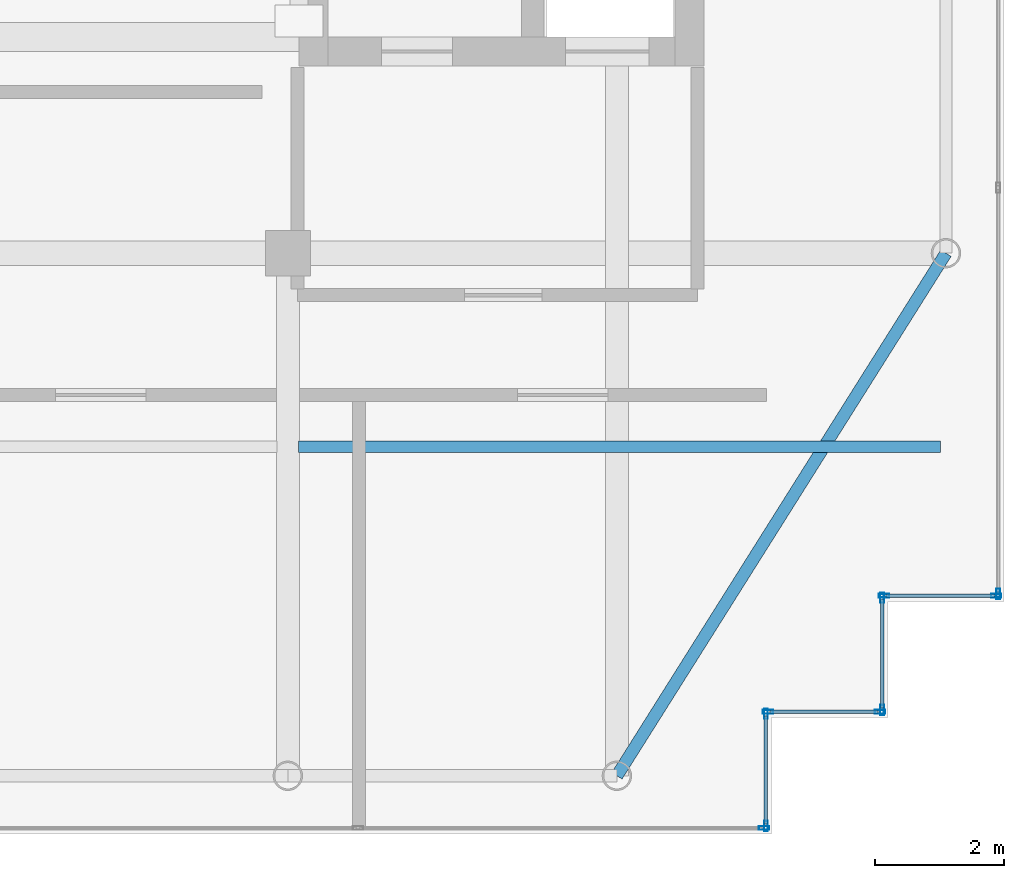
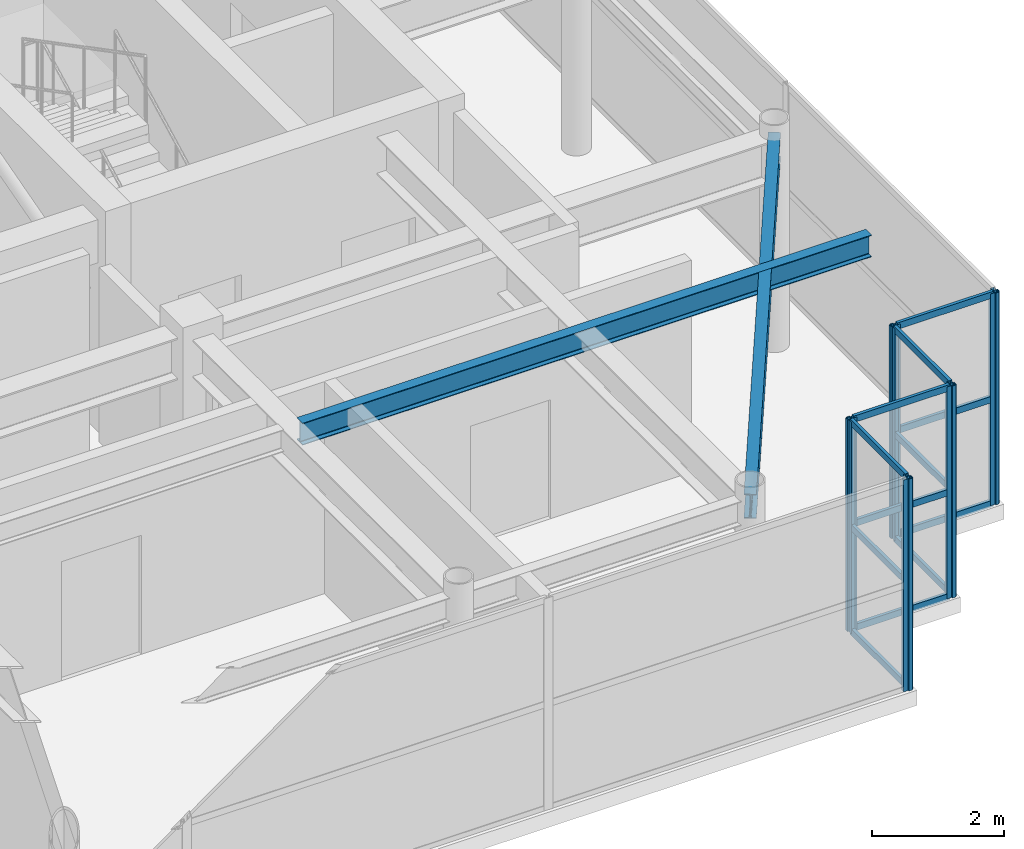
# One storey, part 15 of 32: 22 members, 2 beams, 6 elements without a shape of their own.
"""IFC4 building model written with IfcOpenShell, lengths in metres."""

from ifc_helpers import new_model, si_unit, direction, frame, origin, origin_2d, place, context, subcontext, project, spatial, hollow_rectangle, i_section, extrude, source, transform, mapped, material, layer, layer_set, material_profile, profile_set, type_object, element, aggregate, save


model = new_model("IFC4")

# Units and contexts
model_context = context("Model", 3, precision=1e-05, world=origin(), true_north=direction((0.0, 1.0)))
body_context = subcontext(model_context, "Body", "Model", "MODEL_VIEW")
ifc_project = project(units=[si_unit("LENGTHUNIT", "METRE"), si_unit("AREAUNIT", "SQUARE_METRE"), si_unit("VOLUMEUNIT", "CUBIC_METRE"), si_unit("PLANEANGLEUNIT", "RADIAN"), si_unit("MASSUNIT", "GRAM", prefix="KILO")], contexts=[model_context])

# Site, building, storey
site_placement = place(None, origin())
site = spatial("IfcSite", under=ifc_project, at=site_placement, CompositionType="ELEMENT")
building_placement = place(site_placement, origin())
building = spatial("IfcBuilding", under=site, at=building_placement, Name="Khoralis Quay Care Tower", CompositionType="ELEMENT")
storey_placement = place(building_placement, frame((0.0, 0.0, 310.5)))
storey = spatial("IfcBuildingStorey", under=building, at=storey_placement, Name="L81", CompositionType="ELEMENT", Elevation=310.5)

# Beams
ifc_material_1 = material(Name="Steel S355", Category="steel")
ifc_material_profile_1 = material_profile(ifc_material_1, i_section(OverallWidth=0.18994140625, OverallDepth=0.449951171875, WebThickness=0.009521484375, FlangeThickness=0.0146484375, FilletRadius=0.02099609375, at=origin_2d()), Name="Steel S355")
ifc_profile_set_1 = profile_set([ifc_material_profile_1], Name="Steel S355")
beam_type_1 = type_object("IfcBeamType", Name="BM-IPE450", PredefinedType="SPANDREL", material=ifc_profile_set_1)
shared_shape_1 = source(origin(), body_context, "Body", "SweptSolid", [
    extrude(i_section(OverallWidth=0.18994140625, OverallDepth=0.449951171875, WebThickness=0.009521484375, FlangeThickness=0.0146484375, FilletRadius=0.02099609375, at=origin_2d()), origin(), (0.0, 0.0, 1.0), 9.572021484375),
])
beam_1_placement = place(storey_placement, frame((36.0, 3.89990234375, 3.695068359375), z_axis=(0.532815975602, 0.846231136359, 0.0), x_axis=(-0.846231136359, 0.532815975602, 0.0)))
element("IfcBeam", 1, at=beam_1_placement, inside=storey, type_object=beam_type_1, Name="BM-TCR-L81-18", PredefinedType="SPANDREL", context=body_context, shape_type="MappedRepresentation", body=[
    mapped(shared_shape_1, transform((0.0, 0.0, 0.0), scale=1.0)),
])
ifc_material_profile_2 = material_profile(ifc_material_1, i_section(OverallWidth=0.177978515625, OverallDepth=0.406982421875, WebThickness=0.0078125, FlangeThickness=0.0126953125, FilletRadius=0.012939453125, at=origin_2d()), Name="Steel S355")
ifc_profile_set_2 = profile_set([ifc_material_profile_2], Name="Steel S355")
beam_type_2 = type_object("IfcBeamType", Name="BM-W410X60", PredefinedType="JOIST", material=ifc_profile_set_2)
shared_shape_2 = source(origin(), body_context, "Body", "SweptSolid", [
    extrude(i_section(OverallWidth=0.177978515625, OverallDepth=0.406982421875, WebThickness=0.0078125, FlangeThickness=0.0126953125, FilletRadius=0.012939453125, at=origin_2d()), origin(), (0.0, 0.0, 1.0), 9.95361328125),
])
beam_2_placement = place(storey_placement, frame((31.0654296875, 9.0, 3.716552734375), z_axis=(1.0, 0.0, 0.0), x_axis=(0.0, 1.0, 0.0)))
element("IfcBeam", 2, at=beam_2_placement, inside=storey, type_object=beam_type_2, Name="BM-TJS-L81-22", PredefinedType="JOIST", context=body_context, shape_type="MappedRepresentation", body=[
    mapped(shared_shape_2, transform((0.0, 0.0, 0.0), scale=1.0)),
])

# Curtain wall, members
ifc_material_2 = material(Name="Pale anodised aluminium", Category="aluminium")
ifc_layer = layer(ifc_material_2, 0.199951171875)
ifc_layer_set = layer_set([ifc_layer], Name="Pale anodised aluminium")
curtain_wall_type = type_object("IfcCurtainWallType", Name="CW-SYS-LANTERN", PredefinedType="NOTDEFINED", material=ifc_layer_set)
curtain_wall_1_placement = place(storey_placement, origin())
curtain_wall_1 = element("IfcCurtainWall", 3, at=curtain_wall_1_placement, inside=storey, type_object=curtain_wall_type, Name="L81 Unitised Curtain Wall CW-LN-L81-02", PredefinedType="NOTDEFINED")
ifc_material_profile_3 = material_profile(ifc_material_2, hollow_rectangle(XDim=0.054931640625, YDim=0.1201171875, WallThickness=0.00390625, at=origin_2d()), Name="Pale anodised aluminium")
ifc_profile_set_3 = profile_set([ifc_material_profile_3], Name="Pale anodised aluminium")
member_type_1 = type_object("IfcMemberType", Name="CW-TRN-120", PredefinedType="USERDEFINED", material=ifc_profile_set_3)
shared_shape_3 = source(origin(), body_context, "Body", "SweptSolid", [
    extrude(hollow_rectangle(XDim=0.054931640625, YDim=0.1201171875, WallThickness=0.00390625, at=origin_2d()), origin(), (0.0, 0.0, 1.0), 1.68017578125),
])
member_1_placement = place(storey_placement, frame((38.31005859375, 3.14990234375, 0.030029296875), z_axis=(0.0, 1.0, 0.0), x_axis=(-1.0, 0.0, 0.0)))
member_1 = element("IfcMember", 4, at=member_1_placement, type_object=member_type_1, Name="CW5 transom 1.1", ObjectType="TRANSOM", PredefinedType="USERDEFINED", context=body_context, shape_type="MappedRepresentation", body=[
    mapped(shared_shape_3, transform((0.0, 0.0, 0.0), scale=1.0)),
])
member_2_placement = place(storey_placement, frame((38.31005859375, 3.14990234375, 1.9599609375), z_axis=(0.0, 1.0, 0.0), x_axis=(-1.0, 0.0, 0.0)))
member_2 = element("IfcMember", 5, at=member_2_placement, type_object=member_type_1, Name="CW5 transom 1.2", ObjectType="TRANSOM", PredefinedType="USERDEFINED", context=body_context, shape_type="MappedRepresentation", body=[
    mapped(shared_shape_3, transform((0.0, 0.0, 0.0), scale=1.0)),
])
member_3_placement = place(storey_placement, frame((38.31005859375, 3.14990234375, 3.889892578125), z_axis=(0.0, 1.0, 0.0), x_axis=(-1.0, 0.0, 0.0)))
member_3 = element("IfcMember", 6, at=member_3_placement, type_object=member_type_1, Name="CW5 transom 1.3", ObjectType="TRANSOM", PredefinedType="USERDEFINED", context=body_context, shape_type="MappedRepresentation", body=[
    mapped(shared_shape_3, transform((0.0, 0.0, 0.0), scale=1.0)),
])

curtain_wall_2_placement = place(storey_placement, origin())
curtain_wall_2 = element("IfcCurtainWall", 7, at=curtain_wall_2_placement, inside=storey, type_object=curtain_wall_type, Name="L81 Unitised Curtain Wall CW-LN-L81-05", PredefinedType="NOTDEFINED")
member_4_placement = place(storey_placement, frame((40.169921875, 6.68994140625, 0.030029296875), z_axis=(1.0, 0.0, 0.0), x_axis=(0.0, 1.0, 0.0)))
member_4 = element("IfcMember", 8, at=member_4_placement, type_object=member_type_1, Name="CW5 transom 1.1", ObjectType="TRANSOM", PredefinedType="USERDEFINED", context=body_context, shape_type="MappedRepresentation", body=[
    mapped(shared_shape_3, transform((0.0, 0.0, 0.0), scale=1.0)),
])
member_5_placement = place(storey_placement, frame((40.169921875, 6.68994140625, 1.9599609375), z_axis=(1.0, 0.0, 0.0), x_axis=(0.0, 1.0, 0.0)))
member_5 = element("IfcMember", 9, at=member_5_placement, type_object=member_type_1, Name="CW5 transom 1.2", ObjectType="TRANSOM", PredefinedType="USERDEFINED", context=body_context, shape_type="MappedRepresentation", body=[
    mapped(shared_shape_3, transform((0.0, 0.0, 0.0), scale=1.0)),
])
member_6_placement = place(storey_placement, frame((40.169921875, 6.68994140625, 3.889892578125), z_axis=(1.0, 0.0, 0.0), x_axis=(0.0, 1.0, 0.0)))
member_6 = element("IfcMember", 10, at=member_6_placement, type_object=member_type_1, Name="CW5 transom 1.3", ObjectType="TRANSOM", PredefinedType="USERDEFINED", context=body_context, shape_type="MappedRepresentation", body=[
    mapped(shared_shape_3, transform((0.0, 0.0, 0.0), scale=1.0)),
])

curtain_wall_3_placement = place(storey_placement, origin())
curtain_wall_3 = element("IfcCurtainWall", 11, at=curtain_wall_3_placement, inside=storey, type_object=curtain_wall_type, Name="L81 Unitised Curtain Wall CW-LN-L81-03", PredefinedType="NOTDEFINED")
shared_shape_4 = source(origin(), body_context, "Body", "SweptSolid", [
    extrude(hollow_rectangle(XDim=0.054931640625, YDim=0.1201171875, WallThickness=0.00390625, at=origin_2d()), origin(), (0.0, 0.0, 1.0), 1.679931640625),
])
member_7_placement = place(storey_placement, frame((38.3701171875, 4.889892578125, 0.030029296875), z_axis=(1.0, 0.0, 0.0), x_axis=(0.0, 1.0, 0.0)))
member_7 = element("IfcMember", 12, at=member_7_placement, type_object=member_type_1, Name="CW5 transom 1.1", ObjectType="TRANSOM", PredefinedType="USERDEFINED", context=body_context, shape_type="MappedRepresentation", body=[
    mapped(shared_shape_4, transform((0.0, 0.0, 0.0), scale=1.0)),
])
member_8_placement = place(storey_placement, frame((38.3701171875, 4.889892578125, 1.9599609375), z_axis=(1.0, 0.0, 0.0), x_axis=(0.0, 1.0, 0.0)))
member_8 = element("IfcMember", 13, at=member_8_placement, type_object=member_type_1, Name="CW5 transom 1.2", ObjectType="TRANSOM", PredefinedType="USERDEFINED", context=body_context, shape_type="MappedRepresentation", body=[
    mapped(shared_shape_4, transform((0.0, 0.0, 0.0), scale=1.0)),
])
member_9_placement = place(storey_placement, frame((38.3701171875, 4.889892578125, 3.889892578125), z_axis=(1.0, 0.0, 0.0), x_axis=(0.0, 1.0, 0.0)))
member_9 = element("IfcMember", 14, at=member_9_placement, type_object=member_type_1, Name="CW5 transom 1.3", ObjectType="TRANSOM", PredefinedType="USERDEFINED", context=body_context, shape_type="MappedRepresentation", body=[
    mapped(shared_shape_4, transform((0.0, 0.0, 0.0), scale=1.0)),
])

curtain_wall_4_placement = place(storey_placement, origin())
curtain_wall_4 = element("IfcCurtainWall", 15, at=curtain_wall_4_placement, inside=storey, type_object=curtain_wall_type, Name="L81 Unitised Curtain Wall CW-LN-L81-04", PredefinedType="NOTDEFINED")
member_10_placement = place(storey_placement, frame((40.110107421875, 4.949951171875, 0.030029296875), z_axis=(0.0, 1.0, 0.0), x_axis=(-1.0, 0.0, 0.0)))
member_10 = element("IfcMember", 16, at=member_10_placement, type_object=member_type_1, Name="CW5 transom 1.1", ObjectType="TRANSOM", PredefinedType="USERDEFINED", context=body_context, shape_type="MappedRepresentation", body=[
    mapped(shared_shape_4, transform((0.0, 0.0, 0.0), scale=1.0)),
])
member_11_placement = place(storey_placement, frame((40.110107421875, 4.949951171875, 1.9599609375), z_axis=(0.0, 1.0, 0.0), x_axis=(-1.0, 0.0, 0.0)))
member_11 = element("IfcMember", 17, at=member_11_placement, type_object=member_type_1, Name="CW5 transom 1.2", ObjectType="TRANSOM", PredefinedType="USERDEFINED", context=body_context, shape_type="MappedRepresentation", body=[
    mapped(shared_shape_4, transform((0.0, 0.0, 0.0), scale=1.0)),
])
member_12_placement = place(storey_placement, frame((40.110107421875, 4.949951171875, 3.889892578125), z_axis=(0.0, 1.0, 0.0), x_axis=(-1.0, 0.0, 0.0)))
member_12 = element("IfcMember", 18, at=member_12_placement, type_object=member_type_1, Name="CW5 transom 1.3", ObjectType="TRANSOM", PredefinedType="USERDEFINED", context=body_context, shape_type="MappedRepresentation", body=[
    mapped(shared_shape_4, transform((0.0, 0.0, 0.0), scale=1.0)),
])

# Curtain wall, member
curtain_wall_5_placement = place(storey_placement, origin())
curtain_wall_5 = element("IfcCurtainWall", 19, at=curtain_wall_5_placement, inside=storey, type_object=curtain_wall_type, Name="L81 Unitised Curtain Wall CW-LN-L81-01", PredefinedType="NOTDEFINED")
ifc_material_profile_4 = material_profile(ifc_material_2, hollow_rectangle(XDim=0.06005859375, YDim=0.159912109375, WallThickness=0.00390625, at=origin_2d()), Name="Pale anodised aluminium")
ifc_profile_set_4 = profile_set([ifc_material_profile_4], Name="Pale anodised aluminium")
member_type_2 = type_object("IfcMemberType", Name="CW-MUL-160", PredefinedType="MULLION", material=ifc_profile_set_4)
shared_shape_5 = source(origin(), body_context, "Body", "SweptSolid", [
    extrude(hollow_rectangle(XDim=0.06005859375, YDim=0.159912109375, WallThickness=0.00390625, at=origin_2d()), origin(), (0.0, 0.0, 1.0), 3.919921875),
])
member_13_placement = place(storey_placement, frame((38.280029296875, 3.090087890625, 0.0), z_axis=(0.0, 0.0, 1.0), x_axis=(0.0, 1.0, 0.0)))
member_13 = element("IfcMember", 20, at=member_13_placement, type_object=member_type_2, Name="CW5 mullion 6", PredefinedType="MULLION", context=body_context, shape_type="MappedRepresentation", body=[
    mapped(shared_shape_5, transform((0.0, 0.0, 0.0), scale=1.0)),
])
aggregate(curtain_wall_5, [member_13])

# Member
member_14_placement = place(storey_placement, frame((38.31005859375, 3.1201171875, 0.0), z_axis=(0.0, 0.0, 1.0), x_axis=(-1.0, 0.0, 0.0)))
member_14 = element("IfcMember", 21, at=member_14_placement, type_object=member_type_2, Name="CW5 mullion 1", PredefinedType="MULLION", context=body_context, shape_type="MappedRepresentation", body=[
    mapped(shared_shape_5, transform((0.0, 0.0, 0.0), scale=1.0)),
])

member_15_placement = place(storey_placement, frame((38.31005859375, 4.860107421875, 0.0), z_axis=(0.0, 0.0, 1.0), x_axis=(-1.0, 0.0, 0.0)))
member_15 = element("IfcMember", 22, at=member_15_placement, type_object=member_type_2, Name="CW5 mullion 2", PredefinedType="MULLION", context=body_context, shape_type="MappedRepresentation", body=[
    mapped(shared_shape_5, transform((0.0, 0.0, 0.0), scale=1.0)),
])

aggregate(curtain_wall_1, [member_14, member_15, member_1, member_2, member_3])

member_16_placement = place(storey_placement, frame((38.340087890625, 4.889892578125, 0.0), z_axis=(0.0, 0.0, 1.0), x_axis=(0.0, 1.0, 0.0)))
member_16 = element("IfcMember", 23, at=member_16_placement, type_object=member_type_2, Name="CW5 mullion 1", PredefinedType="MULLION", context=body_context, shape_type="MappedRepresentation", body=[
    mapped(shared_shape_5, transform((0.0, 0.0, 0.0), scale=1.0)),
])

member_17_placement = place(storey_placement, frame((40.080078125, 4.889892578125, 0.0), z_axis=(0.0, 0.0, 1.0), x_axis=(0.0, 1.0, 0.0)))
member_17 = element("IfcMember", 24, at=member_17_placement, type_object=member_type_2, Name="CW5 mullion 2", PredefinedType="MULLION", context=body_context, shape_type="MappedRepresentation", body=[
    mapped(shared_shape_5, transform((0.0, 0.0, 0.0), scale=1.0)),
])

aggregate(curtain_wall_3, [member_16, member_17, member_7, member_8, member_9])

member_18_placement = place(storey_placement, frame((40.110107421875, 4.919921875, 0.0), z_axis=(0.0, 0.0, 1.0), x_axis=(-1.0, 0.0, 0.0)))
member_18 = element("IfcMember", 25, at=member_18_placement, type_object=member_type_2, Name="CW5 mullion 1", PredefinedType="MULLION", context=body_context, shape_type="MappedRepresentation", body=[
    mapped(shared_shape_5, transform((0.0, 0.0, 0.0), scale=1.0)),
])

member_19_placement = place(storey_placement, frame((40.110107421875, 6.659912109375, 0.0), z_axis=(0.0, 0.0, 1.0), x_axis=(-1.0, 0.0, 0.0)))
member_19 = element("IfcMember", 26, at=member_19_placement, type_object=member_type_2, Name="CW5 mullion 2", PredefinedType="MULLION", context=body_context, shape_type="MappedRepresentation", body=[
    mapped(shared_shape_5, transform((0.0, 0.0, 0.0), scale=1.0)),
])

aggregate(curtain_wall_4, [member_18, member_19, member_10, member_11, member_12])

member_20_placement = place(storey_placement, frame((40.139892578125, 6.68994140625, 0.0), z_axis=(0.0, 0.0, 1.0), x_axis=(0.0, 1.0, 0.0)))
member_20 = element("IfcMember", 27, at=member_20_placement, type_object=member_type_2, Name="CW5 mullion 1", PredefinedType="MULLION", context=body_context, shape_type="MappedRepresentation", body=[
    mapped(shared_shape_5, transform((0.0, 0.0, 0.0), scale=1.0)),
])

member_21_placement = place(storey_placement, frame((41.8798828125, 6.68994140625, 0.0), z_axis=(0.0, 0.0, 1.0), x_axis=(0.0, 1.0, 0.0)))
member_21 = element("IfcMember", 28, at=member_21_placement, type_object=member_type_2, Name="CW5 mullion 2", PredefinedType="MULLION", context=body_context, shape_type="MappedRepresentation", body=[
    mapped(shared_shape_5, transform((0.0, 0.0, 0.0), scale=1.0)),
])

aggregate(curtain_wall_2, [member_20, member_21, member_4, member_5, member_6])

# Curtain wall, member
curtain_wall_6_placement = place(storey_placement, origin())
curtain_wall_6 = element("IfcCurtainWall", 29, at=curtain_wall_6_placement, inside=storey, type_object=curtain_wall_type, Name="L81 Unitised Curtain Wall CW-LN-L81-06", PredefinedType="NOTDEFINED")
member_22_placement = place(storey_placement, frame((41.909912109375, 6.719970703125, 0.0), z_axis=(0.0, 0.0, 1.0), x_axis=(-1.0, 0.0, 0.0)))
member_22 = element("IfcMember", 30, at=member_22_placement, type_object=member_type_2, Name="CW5 mullion 1", PredefinedType="MULLION", context=body_context, shape_type="MappedRepresentation", body=[
    mapped(shared_shape_5, transform((0.0, 0.0, 0.0), scale=1.0)),
])
aggregate(curtain_wall_6, [member_22])

save(model, "model.ifc")
